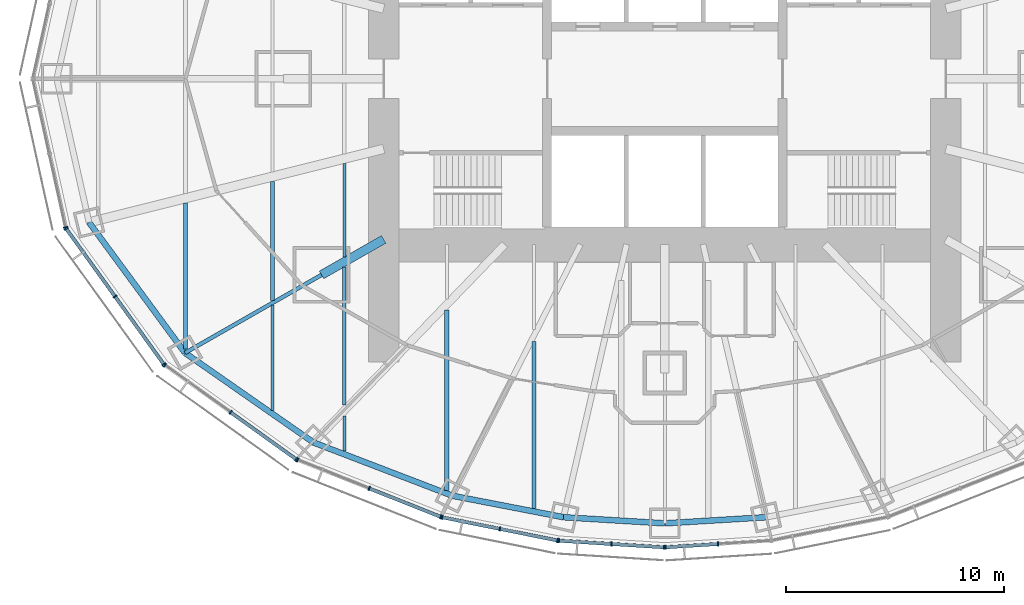
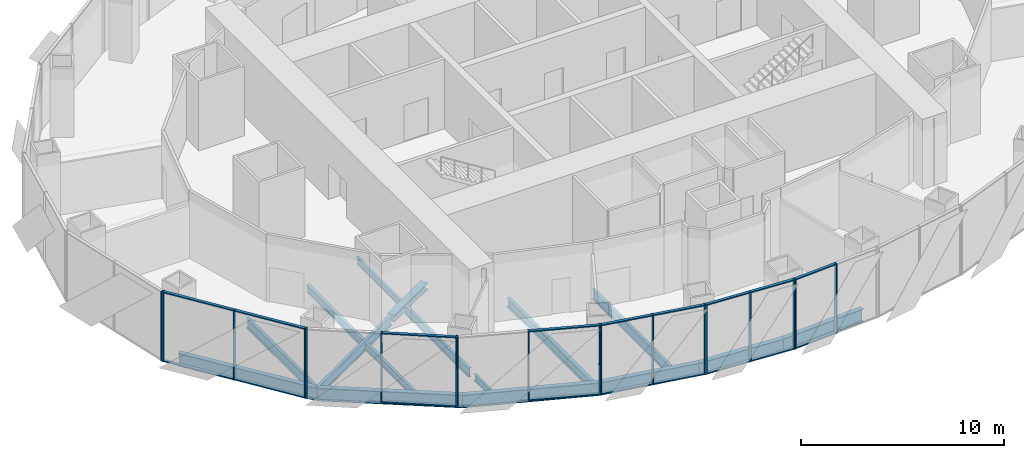
# One storey, part 2 of 18: 36 members, 16 beams, 7 elements without a shape of their own.
"""IFC4 building model written with IfcOpenShell, lengths in metres."""

from ifc_helpers import new_model, si_unit, direction, frame, origin, origin_2d, place, context, subcontext, project, spatial, rectangle, i_section, extrude, material, material_profile, profile_set, type_object, element, aggregate, save


model = new_model("IFC4")

# Units and contexts
model_context = context("Model", 3, precision=1e-05, world=origin(), true_north=direction((0.0, 1.0)))
body_context = subcontext(model_context, "Body", "Model", "MODEL_VIEW")
ifc_project = project(units=[si_unit("LENGTHUNIT", "METRE"), si_unit("AREAUNIT", "SQUARE_METRE"), si_unit("VOLUMEUNIT", "CUBIC_METRE"), si_unit("PLANEANGLEUNIT", "RADIAN"), si_unit("MASSUNIT", "GRAM", prefix="KILO")], contexts=[model_context])

# Site, building, storey
site_placement = place(None, origin())
site = spatial("IfcSite", under=ifc_project, at=site_placement, CompositionType="ELEMENT")
building_placement = place(site_placement, origin())
building = spatial("IfcBuilding", under=site, at=building_placement, Name="Lantaw Convention Tower", CompositionType="ELEMENT")
storey_placement = place(building_placement, frame((0.0, 0.0, 172.0)))
storey = spatial("IfcBuildingStorey", under=building, at=storey_placement, Name="L40", CompositionType="ELEMENT", Elevation=172.0)

# Beams
ifc_material_1 = material(Name="Steel ASTM A992", Category="steel")
ifc_material_profile_1 = material_profile(ifc_material_1, i_section(OverallWidth=0.2666015625, OverallDepth=0.76953125, WebThickness=0.015625, FlangeThickness=0.025390625, FilletRadius=0.0126953125, at=origin_2d()), Name="W30X132")
ifc_profile_set_1 = profile_set([ifc_material_profile_1], Name="Steel ASTM A992")
beam_type_1 = type_object("IfcBeamType", Name="Beam E W30X132", PredefinedType="SPANDREL", material=ifc_profile_set_1)
beam_1_placement = place(storey_placement, frame((-26.419921875, -6.587158203125, -0.534912109375), z_axis=(0.5923891972, -0.805651934176, 0.0), x_axis=(0.805651934176, 0.5923891972, 0.0)))
element("IfcBeam", 1, at=beam_1_placement, inside=storey, type_object=beam_type_1, Name="Edge beam 14", PredefinedType="SPANDREL", context=body_context, shape_type="SweptSolid", body=[
    extrude(i_section(OverallWidth=0.2666015625, OverallDepth=0.76953125, WebThickness=0.015625, FlangeThickness=0.025390625, FilletRadius=0.0126953125, at=origin_2d()), origin(), (0.0, 0.0, 1.0), 7.437744140625),
])
beam_2_placement = place(storey_placement, frame((-22.013916015625, -12.579345703125, -0.534912109375), z_axis=(0.820310765287, -0.57191804339, 0.0), x_axis=(0.57191804339, 0.820310765287, 0.0)))
element("IfcBeam", 2, at=beam_2_placement, inside=storey, type_object=beam_type_1, Name="Edge beam 15", PredefinedType="SPANDREL", context=body_context, shape_type="SweptSolid", body=[
    extrude(i_section(OverallWidth=0.2666015625, OverallDepth=0.76953125, WebThickness=0.015625, FlangeThickness=0.025390625, FilletRadius=0.0126953125, at=origin_2d()), origin(), (0.0, 0.0, 1.0), 7.187744140625),
])
beam_3_placement = place(storey_placement, frame((-16.11767578125, -16.690185546875, -0.534912109375), z_axis=(0.933691081977, -0.358079549033, 0.0), x_axis=(0.358079549033, 0.933691081977, 0.0)))
element("IfcBeam", 3, at=beam_3_placement, inside=storey, type_object=beam_type_1, Name="Edge beam 16", PredefinedType="SPANDREL", context=body_context, shape_type="SweptSolid", body=[
    extrude(i_section(OverallWidth=0.2666015625, OverallDepth=0.76953125, WebThickness=0.015625, FlangeThickness=0.025390625, FilletRadius=0.0126953125, at=origin_2d()), origin(), (0.0, 0.0, 1.0), 6.821533203125),
])
beam_4_placement = place(storey_placement, frame((-9.74853515625, -19.1328125, -0.534912109375), z_axis=(0.981796805654, -0.189934284446, 0.0), x_axis=(0.189934284446, 0.981796805654, 0.0)))
element("IfcBeam", 4, at=beam_4_placement, inside=storey, type_object=beam_type_1, Name="Edge beam 17", PredefinedType="SPANDREL", context=body_context, shape_type="SweptSolid", body=[
    extrude(i_section(OverallWidth=0.2666015625, OverallDepth=0.76953125, WebThickness=0.015625, FlangeThickness=0.025390625, FilletRadius=0.0126953125, at=origin_2d()), origin(), (0.0, 0.0, 1.0), 5.1982421875),
])
for number, where, z_axis, x_axis, name in (
    (5, (-4.64501953125, -20.1201171875, -0.534912109375), (0.998190892054, -0.06012439621, 0.0), (0.06012439621, 0.998190892054, 0.0), "Edge beam 18"),
    (6, (0.0, -20.39990234375, -0.534912109375), (0.998190892054, 0.06012439621, 0.0), (-0.06012439621, 0.998190892054, 0.0), "Edge beam 19"),
):
    element("IfcBeam", number, at=place(storey_placement, frame(where, z_axis=z_axis, x_axis=x_axis)), inside=storey, type_object=beam_type_1, Name=name, PredefinedType="SPANDREL", context=body_context, shape_type="SweptSolid", body=[
        extrude(i_section(OverallWidth=0.2666015625, OverallDepth=0.76953125, WebThickness=0.015625, FlangeThickness=0.025390625, FilletRadius=0.0126953125, at=origin_2d()), origin(), (0.0, 0.0, 1.0), 4.6533203125),
    ])
ifc_material_profile_2 = material_profile(ifc_material_1, i_section(OverallWidth=0.177978515625, OverallDepth=0.599365234375, WebThickness=0.010009765625, FlangeThickness=0.012939453125, FilletRadius=0.012939453125, at=origin_2d()), Name="W24X55")
ifc_profile_set_2 = profile_set([ifc_material_profile_2], Name="Steel ASTM A992")
beam_type_2 = type_object("IfcBeamType", Name="Beam G W24X55", PredefinedType="BEAM", material=ifc_profile_set_2)
beam_5_placement = place(storey_placement, frame((-15.75, -9.0, -0.44970703125), z_axis=(-0.868245224608, -0.496135293993, 0.0), x_axis=(0.496135293993, -0.868245224608, 0.0)))
element("IfcBeam", 7, at=beam_5_placement, inside=storey, type_object=beam_type_2, Name="Floor girder on ray 15", PredefinedType="BEAM", context=body_context, shape_type="SweptSolid", body=[
    extrude(i_section(OverallWidth=0.177978515625, OverallDepth=0.599365234375, WebThickness=0.010009765625, FlangeThickness=0.012939453125, FilletRadius=0.012939453125, at=origin_2d()), origin(), (0.0, 0.0, 1.0), 7.21435546875),
])
ifc_material_profile_3 = material_profile(ifc_material_1, i_section(OverallWidth=0.40380859375, OverallDepth=0.406494140625, WebThickness=0.027099609375, FlangeThickness=0.043701171875, FilletRadius=0.01513671875, at=origin_2d()), Name="W14X233")
ifc_profile_set_3 = profile_set([ifc_material_profile_3], Name="Steel ASTM A992")
beam_type_3 = type_object("IfcBeamType", Name="Beam GM W14X233", PredefinedType="BEAM", material=ifc_profile_set_3)
beam_6_placement = place(storey_placement, frame((-12.89990234375, -7.371337890625, -0.353271484375), z_axis=(-0.868238565244, -0.496146947811, 0.0), x_axis=(0.496146947811, -0.868238565244, 0.0)))
element("IfcBeam", 8, at=beam_6_placement, inside=storey, type_object=beam_type_3, Name="Core link beam on ray 15", PredefinedType="BEAM", context=body_context, shape_type="SweptSolid", body=[
    extrude(i_section(OverallWidth=0.40380859375, OverallDepth=0.406494140625, WebThickness=0.027099609375, FlangeThickness=0.043701171875, FilletRadius=0.01513671875, at=origin_2d()), origin(), (0.0, 0.0, 1.0), 3.28271484375),
])
ifc_material_profile_4 = material_profile(ifc_material_1, i_section(OverallWidth=0.140380859375, OverallDepth=0.40380859375, WebThickness=0.007080078125, FlangeThickness=0.01123046875, FilletRadius=0.01025390625, at=origin_2d()), Name="W16X31")
ifc_profile_set_4 = profile_set([ifc_material_profile_4], Name="Steel ASTM A992")
beam_type_4 = type_object("IfcBeamType", Name="Beam J W16X31", PredefinedType="JOIST", material=ifc_profile_set_4)
beam_7_placement = place(storey_placement, frame((-14.699951171875, -17.091064453125, -0.35205078125), z_axis=(0.0, 1.0, 0.0), x_axis=(-1.0, 0.0, 0.0)))
element("IfcBeam", 9, at=beam_7_placement, inside=storey, type_object=beam_type_4, Name="Floor joist", PredefinedType="JOIST", context=body_context, shape_type="SweptSolid", body=[
    extrude(i_section(OverallWidth=0.140380859375, OverallDepth=0.40380859375, WebThickness=0.007080078125, FlangeThickness=0.01123046875, FilletRadius=0.01025390625, at=origin_2d()), origin(), (0.0, 0.0, 1.0), 1.609130859375),
])
beam_8_placement = place(storey_placement, frame((-14.699951171875, -8.16748046875, -0.35205078125), z_axis=(0.0, 1.0, 0.0), x_axis=(-1.0, 0.0, 0.0)))
element("IfcBeam", 10, at=beam_8_placement, inside=storey, type_object=beam_type_4, Name="Floor joist", PredefinedType="JOIST", context=body_context, shape_type="SweptSolid", body=[
    extrude(i_section(OverallWidth=0.140380859375, OverallDepth=0.40380859375, WebThickness=0.007080078125, FlangeThickness=0.01123046875, FilletRadius=0.01025390625, at=origin_2d()), origin(), (0.0, 0.0, 1.0), 4.28515625),
])
ifc_material_profile_5 = material_profile(ifc_material_1, i_section(OverallWidth=0.15234375, OverallDepth=0.449462890625, WebThickness=0.007568359375, FlangeThickness=0.0107421875, FilletRadius=0.01025390625, at=origin_2d()), Name="W18X35")
ifc_profile_set_5 = profile_set([ifc_material_profile_5], Name="Steel ASTM A992")
beam_type_5 = type_object("IfcBeamType", Name="Beam J W18X35", PredefinedType="JOIST", material=ifc_profile_set_5)
beam_9_placement = place(storey_placement, frame((-18.0, -15.21533203125, -0.374755859375), z_axis=(0.0, 1.0, 0.0), x_axis=(-1.0, 0.0, 0.0)))
element("IfcBeam", 11, at=beam_9_placement, inside=storey, type_object=beam_type_5, Name="Floor joist", PredefinedType="JOIST", context=body_context, shape_type="SweptSolid", body=[
    extrude(i_section(OverallWidth=0.15234375, OverallDepth=0.449462890625, WebThickness=0.007568359375, FlangeThickness=0.0107421875, FilletRadius=0.01025390625, at=origin_2d()), origin(), (0.0, 0.0, 1.0), 4.8271484375),
])
ifc_material_profile_6 = material_profile(ifc_material_1, i_section(OverallWidth=0.1904296875, OverallDepth=0.457275390625, WebThickness=0.009033203125, FlangeThickness=0.014404296875, FilletRadius=0.01025390625, at=origin_2d()), Name="W18X50")
ifc_profile_set_6 = profile_set([ifc_material_profile_6], Name="Steel ASTM A992")
beam_type_6 = type_object("IfcBeamType", Name="Beam J W18X50", PredefinedType="JOIST", material=ifc_profile_set_6)
beam_10_placement = place(storey_placement, frame((-18.0, -10.18310546875, -0.378662109375), z_axis=(0.0, 1.0, 0.0), x_axis=(-1.0, 0.0, 0.0)))
element("IfcBeam", 12, at=beam_10_placement, inside=storey, type_object=beam_type_6, Name="Floor joist", PredefinedType="JOIST", context=body_context, shape_type="SweptSolid", body=[
    extrude(i_section(OverallWidth=0.1904296875, OverallDepth=0.457275390625, WebThickness=0.009033203125, FlangeThickness=0.014404296875, FilletRadius=0.01025390625, at=origin_2d()), origin(), (0.0, 0.0, 1.0), 5.47802734375),
])
ifc_material_profile_7 = material_profile(ifc_material_1, i_section(OverallWidth=0.1650390625, OverallDepth=0.52587890625, WebThickness=0.0087890625, FlangeThickness=0.011474609375, FilletRadius=0.0126953125, at=origin_2d()), Name="W21X44")
ifc_profile_set_7 = profile_set([ifc_material_profile_7], Name="Steel ASTM A992")
beam_type_7 = type_object("IfcBeamType", Name="Beam J W21X44", PredefinedType="JOIST", material=ifc_profile_set_7)
beam_11_placement = place(storey_placement, frame((-14.699951171875, -14.962646484375, -0.412841796875), z_axis=(0.0, 1.0, 0.0), x_axis=(-1.0, 0.0, 0.0)))
element("IfcBeam", 13, at=beam_11_placement, inside=storey, type_object=beam_type_7, Name="Floor joist", PredefinedType="JOIST", context=body_context, shape_type="SweptSolid", body=[
    extrude(i_section(OverallWidth=0.1650390625, OverallDepth=0.52587890625, WebThickness=0.0087890625, FlangeThickness=0.011474609375, FilletRadius=0.0126953125, at=origin_2d()), origin(), (0.0, 0.0, 1.0), 6.330078125),
])
ifc_material_profile_8 = material_profile(ifc_material_1, i_section(OverallWidth=0.2099609375, OverallDepth=0.535888671875, WebThickness=0.010986328125, FlangeThickness=0.017333984375, FilletRadius=0.012939453125, at=origin_2d()), Name="W21X68")
ifc_profile_set_8 = profile_set([ifc_material_profile_8], Name="Steel ASTM A992")
beam_type_8 = type_object("IfcBeamType", Name="Beam J W21X68", PredefinedType="JOIST", material=ifc_profile_set_8)
beam_12_placement = place(storey_placement, frame((-10.0, -18.8935546875, -0.41796875), z_axis=(0.0, 1.0, 0.0), x_axis=(-1.0, 0.0, 0.0)))
element("IfcBeam", 14, at=beam_12_placement, inside=storey, type_object=beam_type_8, Name="Floor joist", PredefinedType="JOIST", context=body_context, shape_type="SweptSolid", body=[
    extrude(i_section(OverallWidth=0.2099609375, OverallDepth=0.535888671875, WebThickness=0.010986328125, FlangeThickness=0.017333984375, FilletRadius=0.012939453125, at=origin_2d()), origin(), (0.0, 0.0, 1.0), 8.278564453125),
])
ifc_material_profile_9 = material_profile(ifc_material_1, i_section(OverallWidth=0.177978515625, OverallDepth=0.599365234375, WebThickness=0.010009765625, FlangeThickness=0.012939453125, FilletRadius=0.012939453125, at=origin_2d()), Name="W24X55")
ifc_profile_set_9 = profile_set([ifc_material_profile_9], Name="Steel ASTM A992")
beam_type_9 = type_object("IfcBeamType", Name="Beam J W24X55", PredefinedType="JOIST", material=ifc_profile_set_9)
beam_13_placement = place(storey_placement, frame((-22.0, -12.408935546875, -0.44970703125), z_axis=(0.0, 1.0, 0.0), x_axis=(-1.0, 0.0, 0.0)))
element("IfcBeam", 15, at=beam_13_placement, inside=storey, type_object=beam_type_9, Name="Floor joist", PredefinedType="JOIST", context=body_context, shape_type="SweptSolid", body=[
    extrude(i_section(OverallWidth=0.177978515625, OverallDepth=0.599365234375, WebThickness=0.010009765625, FlangeThickness=0.012939453125, FilletRadius=0.012939453125, at=origin_2d()), origin(), (0.0, 0.0, 1.0), 6.70654296875),
])
beam_14_placement = place(storey_placement, frame((-6.0, -19.72216796875, -0.44970703125), z_axis=(0.0, 1.0, 0.0), x_axis=(-1.0, 0.0, 0.0)))
element("IfcBeam", 16, at=beam_14_placement, inside=storey, type_object=beam_type_9, Name="Floor joist", PredefinedType="JOIST", context=body_context, shape_type="SweptSolid", body=[
    extrude(i_section(OverallWidth=0.177978515625, OverallDepth=0.599365234375, WebThickness=0.010009765625, FlangeThickness=0.012939453125, FilletRadius=0.012939453125, at=origin_2d()), origin(), (0.0, 0.0, 1.0), 7.666748046875),
])

# Curtain wall, member
ifc_material_2 = material(Name="Aluminium framed curtain wall", Category="aluminium")
curtain_wall_type = type_object("IfcCurtainWallType", Name="Office curtain wall low rise, pale aluminium", PredefinedType="USERDEFINED", material=ifc_material_2)
curtain_wall_1_placement = place(storey_placement, origin())
curtain_wall_1 = element("IfcCurtainWall", 17, at=curtain_wall_1_placement, inside=storey, type_object=curtain_wall_type, Name="Office curtain wall low rise, pale aluminium L40", ObjectType="UNITISED CURTAIN WALL", PredefinedType="USERDEFINED")
ifc_material_3 = material(Name="Aluminium 6063-T6", Category="aluminium")
ifc_material_profile_10 = material_profile(ifc_material_3, rectangle(XDim=0.199951171875, YDim=0.06494140625, at=origin_2d()), Name="CW-O1 mullion 65x200")
ifc_profile_set_10 = profile_set([ifc_material_profile_10], Name="Aluminium 6063-T6")
member_type_1 = type_object("IfcMemberType", Name="CW-O1 mullion 65x200", PredefinedType="MULLION", material=ifc_profile_set_10)
member_1_placement = place(storey_placement, frame((-27.494140625, -6.821533203125, -0.14990234375), z_axis=(0.0, 0.0, 1.0), x_axis=(0.9764936509, 0.215546166174, 0.0)))
member_1 = element("IfcMember", 18, at=member_1_placement, type_object=member_type_1, Name="CW-O1 mullion 3", PredefinedType="MULLION", context=body_context, shape_type="SweptSolid", body=[
    extrude(rectangle(XDim=0.199951171875, YDim=0.06494140625, at=origin_2d()), origin(), (0.0, 0.0, 1.0), 4.199951171875),
])
aggregate(curtain_wall_1, [member_1])

# Curtain wall, members
curtain_wall_2_placement = place(storey_placement, origin())
curtain_wall_2 = element("IfcCurtainWall", 19, at=curtain_wall_2_placement, inside=storey, type_object=curtain_wall_type, Name="Office curtain wall low rise, pale aluminium L40", ObjectType="UNITISED CURTAIN WALL", PredefinedType="USERDEFINED")
member_2_placement = place(storey_placement, frame((-27.46826171875, -6.879638671875, -0.14990234375), z_axis=(0.0, 0.0, 1.0), x_axis=(0.811384633629, 0.584512597221, 0.0)))
member_2 = element("IfcMember", 20, at=member_2_placement, type_object=member_type_1, Name="CW-O1 mullion 1", PredefinedType="MULLION", context=body_context, shape_type="SweptSolid", body=[
    extrude(rectangle(XDim=0.199951171875, YDim=0.06494140625, at=origin_2d()), origin(), (0.0, 0.0, 1.0), 4.199951171875),
])
member_3_placement = place(storey_placement, frame((-25.22802734375, -9.9892578125, -0.14990234375), z_axis=(0.0, 0.0, 1.0), x_axis=(0.811384633629, 0.584512597221, 0.0)))
member_3 = element("IfcMember", 21, at=member_3_placement, type_object=member_type_1, Name="CW-O1 mullion 2", PredefinedType="MULLION", context=body_context, shape_type="SweptSolid", body=[
    extrude(rectangle(XDim=0.199951171875, YDim=0.06494140625, at=origin_2d()), origin(), (0.0, 0.0, 1.0), 4.199951171875),
])
member_4_placement = place(storey_placement, frame((-22.988037109375, -13.098876953125, -0.14990234375), z_axis=(0.0, 0.0, 1.0), x_axis=(0.811384633629, 0.584512597221, 0.0)))
member_4 = element("IfcMember", 22, at=member_4_placement, type_object=member_type_1, Name="CW-O1 mullion 3", PredefinedType="MULLION", context=body_context, shape_type="SweptSolid", body=[
    extrude(rectangle(XDim=0.199951171875, YDim=0.06494140625, at=origin_2d()), origin(), (0.0, 0.0, 1.0), 4.199951171875),
])

curtain_wall_3_placement = place(storey_placement, origin())
curtain_wall_3 = element("IfcCurtainWall", 23, at=curtain_wall_3_placement, inside=storey, type_object=curtain_wall_type, Name="Office curtain wall low rise, pale aluminium L40", ObjectType="UNITISED CURTAIN WALL", PredefinedType="USERDEFINED")
member_5_placement = place(storey_placement, frame((-22.942626953125, -13.14404296875, -0.14990234375), z_axis=(0.0, 0.0, 1.0), x_axis=(0.581972695693, 0.813208325995, 0.0)))
member_5 = element("IfcMember", 24, at=member_5_placement, type_object=member_type_1, Name="CW-O1 mullion 1", PredefinedType="MULLION", context=body_context, shape_type="SweptSolid", body=[
    extrude(rectangle(XDim=0.199951171875, YDim=0.06494140625, at=origin_2d()), origin(), (0.0, 0.0, 1.0), 4.199951171875),
])
member_6_placement = place(storey_placement, frame((-19.92529296875, -15.303466796875, -0.14990234375), z_axis=(0.0, 0.0, 1.0), x_axis=(0.581972695693, 0.813208325995, 0.0)))
member_6 = element("IfcMember", 25, at=member_6_placement, type_object=member_type_1, Name="CW-O1 mullion 2", PredefinedType="MULLION", context=body_context, shape_type="SweptSolid", body=[
    extrude(rectangle(XDim=0.199951171875, YDim=0.06494140625, at=origin_2d()), origin(), (0.0, 0.0, 1.0), 4.199951171875),
])
member_7_placement = place(storey_placement, frame((-16.908203125, -17.462646484375, -0.14990234375), z_axis=(0.0, 0.0, 1.0), x_axis=(0.581972695693, 0.813208325995, 0.0)))
member_7 = element("IfcMember", 26, at=member_7_placement, type_object=member_type_1, Name="CW-O1 mullion 3", PredefinedType="MULLION", context=body_context, shape_type="SweptSolid", body=[
    extrude(rectangle(XDim=0.199951171875, YDim=0.06494140625, at=origin_2d()), origin(), (0.0, 0.0, 1.0), 4.199951171875),
])

curtain_wall_4_placement = place(storey_placement, origin())
curtain_wall_4 = element("IfcCurtainWall", 27, at=curtain_wall_4_placement, inside=storey, type_object=curtain_wall_type, Name="Office curtain wall low rise, pale aluminium L40", ObjectType="UNITISED CURTAIN WALL", PredefinedType="USERDEFINED")
member_8_placement = place(storey_placement, frame((-16.8515625, -17.49365234375, -0.14990234375), z_axis=(0.0, 0.0, 1.0), x_axis=(0.368701907483, 0.929547687544, 0.0)))
member_8 = element("IfcMember", 28, at=member_8_placement, type_object=member_type_1, Name="CW-O1 mullion 1", PredefinedType="MULLION", context=body_context, shape_type="SweptSolid", body=[
    extrude(rectangle(XDim=0.199951171875, YDim=0.06494140625, at=origin_2d()), origin(), (0.0, 0.0, 1.0), 4.199951171875),
])
member_9_placement = place(storey_placement, frame((-13.56494140625, -18.797119140625, -0.14990234375), z_axis=(0.0, 0.0, 1.0), x_axis=(0.368701907483, 0.929547687544, 0.0)))
member_9 = element("IfcMember", 29, at=member_9_placement, type_object=member_type_1, Name="CW-O1 mullion 2", PredefinedType="MULLION", context=body_context, shape_type="SweptSolid", body=[
    extrude(rectangle(XDim=0.199951171875, YDim=0.06494140625, at=origin_2d()), origin(), (0.0, 0.0, 1.0), 4.199951171875),
])
member_10_placement = place(storey_placement, frame((-10.2783203125, -20.100830078125, -0.14990234375), z_axis=(0.0, 0.0, 1.0), x_axis=(0.368701907483, 0.929547687544, 0.0)))
member_10 = element("IfcMember", 30, at=member_10_placement, type_object=member_type_1, Name="CW-O1 mullion 3", PredefinedType="MULLION", context=body_context, shape_type="SweptSolid", body=[
    extrude(rectangle(XDim=0.199951171875, YDim=0.06494140625, at=origin_2d()), origin(), (0.0, 0.0, 1.0), 4.199951171875),
])

curtain_wall_5_placement = place(storey_placement, origin())
curtain_wall_5 = element("IfcCurtainWall", 31, at=curtain_wall_5_placement, inside=storey, type_object=curtain_wall_type, Name="Office curtain wall low rise, pale aluminium L40", ObjectType="UNITISED CURTAIN WALL", PredefinedType="USERDEFINED")
member_11_placement = place(storey_placement, frame((-10.216064453125, -20.119140625, -0.14990234375), z_axis=(0.0, 0.0, 1.0), x_axis=(0.197506809659, 0.980301514912, 0.0)))
member_11 = element("IfcMember", 32, at=member_11_placement, type_object=member_type_1, Name="CW-O1 mullion 1", PredefinedType="MULLION", context=body_context, shape_type="SweptSolid", body=[
    extrude(rectangle(XDim=0.199951171875, YDim=0.06494140625, at=origin_2d()), origin(), (0.0, 0.0, 1.0), 4.199951171875),
])
member_12_placement = place(storey_placement, frame((-7.5703125, -20.65234375, -0.14990234375), z_axis=(0.0, 0.0, 1.0), x_axis=(0.197506809659, 0.980301514912, 0.0)))
member_12 = element("IfcMember", 33, at=member_12_placement, type_object=member_type_1, Name="CW-O1 mullion 2", PredefinedType="MULLION", context=body_context, shape_type="SweptSolid", body=[
    extrude(rectangle(XDim=0.199951171875, YDim=0.06494140625, at=origin_2d()), origin(), (0.0, 0.0, 1.0), 4.199951171875),
])
member_13_placement = place(storey_placement, frame((-4.92431640625, -21.185302734375, -0.14990234375), z_axis=(0.0, 0.0, 1.0), x_axis=(0.197506809659, 0.980301514912, 0.0)))
member_13 = element("IfcMember", 34, at=member_13_placement, type_object=member_type_1, Name="CW-O1 mullion 3", PredefinedType="MULLION", context=body_context, shape_type="SweptSolid", body=[
    extrude(rectangle(XDim=0.199951171875, YDim=0.06494140625, at=origin_2d()), origin(), (0.0, 0.0, 1.0), 4.199951171875),
])

curtain_wall_6_placement = place(storey_placement, origin())
curtain_wall_6 = element("IfcCurtainWall", 35, at=curtain_wall_6_placement, inside=storey, type_object=curtain_wall_type, Name="Office curtain wall low rise, pale aluminium L40", ObjectType="UNITISED CURTAIN WALL", PredefinedType="USERDEFINED")
member_14_placement = place(storey_placement, frame((-4.860107421875, -21.19384765625, -0.14990234375), z_axis=(0.0, 0.0, 1.0), x_axis=(0.062865059466, 0.998022035978, 0.0)))
member_14 = element("IfcMember", 36, at=member_14_placement, type_object=member_type_1, Name="CW-O1 mullion 1", PredefinedType="MULLION", context=body_context, shape_type="SweptSolid", body=[
    extrude(rectangle(XDim=0.199951171875, YDim=0.06494140625, at=origin_2d()), origin(), (0.0, 0.0, 1.0), 4.199951171875),
])
member_15_placement = place(storey_placement, frame((-2.4462890625, -21.345947265625, -0.14990234375), z_axis=(0.0, 0.0, 1.0), x_axis=(0.062865059466, 0.998022035978, 0.0)))
member_15 = element("IfcMember", 37, at=member_15_placement, type_object=member_type_1, Name="CW-O1 mullion 2", PredefinedType="MULLION", context=body_context, shape_type="SweptSolid", body=[
    extrude(rectangle(XDim=0.199951171875, YDim=0.06494140625, at=origin_2d()), origin(), (0.0, 0.0, 1.0), 4.199951171875),
])
member_16_placement = place(storey_placement, frame((-0.032470703125, -21.498046875, -0.14990234375), z_axis=(0.0, 0.0, 1.0), x_axis=(0.062865059466, 0.998022035978, 0.0)))
member_16 = element("IfcMember", 38, at=member_16_placement, type_object=member_type_1, Name="CW-O1 mullion 3", PredefinedType="MULLION", context=body_context, shape_type="SweptSolid", body=[
    extrude(rectangle(XDim=0.199951171875, YDim=0.06494140625, at=origin_2d()), origin(), (0.0, 0.0, 1.0), 4.199951171875),
])

curtain_wall_7_placement = place(storey_placement, origin())
curtain_wall_7 = element("IfcCurtainWall", 39, at=curtain_wall_7_placement, inside=storey, type_object=curtain_wall_type, Name="Office curtain wall low rise, pale aluminium L40", ObjectType="UNITISED CURTAIN WALL", PredefinedType="USERDEFINED")
member_17_placement = place(storey_placement, frame((0.032470703125, -21.498046875, -0.14990234375), z_axis=(0.0, 0.0, 1.0), x_axis=(-0.062865059466, 0.998022035978, 0.0)))
member_17 = element("IfcMember", 40, at=member_17_placement, type_object=member_type_1, Name="CW-O1 mullion 1", PredefinedType="MULLION", context=body_context, shape_type="SweptSolid", body=[
    extrude(rectangle(XDim=0.199951171875, YDim=0.06494140625, at=origin_2d()), origin(), (0.0, 0.0, 1.0), 4.199951171875),
])
member_18_placement = place(storey_placement, frame((2.4462890625, -21.345947265625, -0.14990234375), z_axis=(0.0, 0.0, 1.0), x_axis=(-0.062865059466, 0.998022035978, 0.0)))
member_18 = element("IfcMember", 41, at=member_18_placement, type_object=member_type_1, Name="CW-O1 mullion 2", PredefinedType="MULLION", context=body_context, shape_type="SweptSolid", body=[
    extrude(rectangle(XDim=0.199951171875, YDim=0.06494140625, at=origin_2d()), origin(), (0.0, 0.0, 1.0), 4.199951171875),
])

# Member
ifc_material_profile_11 = material_profile(ifc_material_3, rectangle(XDim=0.159912109375, YDim=0.06494140625, at=origin_2d()), Name="CW-O1 transom 65x160")
ifc_profile_set_11 = profile_set([ifc_material_profile_11], Name="Aluminium 6063-T6")
member_type_2 = type_object("IfcMemberType", Name="CW-O1 transom 65x160", PredefinedType="USERDEFINED", material=ifc_profile_set_11)
member_19_placement = place(storey_placement, frame((-27.44921875, -6.906005859375, -0.117431640625), z_axis=(0.584512973979, -0.811384362217, 0.0), x_axis=(0.811384362217, 0.584512973979, 0.0)))
member_19 = element("IfcMember", 42, at=member_19_placement, type_object=member_type_2, Name="CW-O1 transom 1.1", ObjectType="TRANSOM", PredefinedType="USERDEFINED", context=body_context, shape_type="SweptSolid", body=[
    extrude(rectangle(XDim=0.159912109375, YDim=0.06494140625, at=origin_2d()), origin(), (0.0, 0.0, 1.0), 3.767578125),
])

member_20_placement = place(storey_placement, frame((-27.44921875, -6.906005859375, 4.017578125), z_axis=(0.584512973979, -0.811384362217, 0.0), x_axis=(0.811384362217, 0.584512973979, 0.0)))
member_20 = element("IfcMember", 43, at=member_20_placement, type_object=member_type_2, Name="CW-O1 transom 1.2", ObjectType="TRANSOM", PredefinedType="USERDEFINED", context=body_context, shape_type="SweptSolid", body=[
    extrude(rectangle(XDim=0.159912109375, YDim=0.06494140625, at=origin_2d()), origin(), (0.0, 0.0, 1.0), 3.767578125),
])

member_21_placement = place(storey_placement, frame((-25.209228515625, -10.015625, -0.117431640625), z_axis=(0.584512973979, -0.811384362217, 0.0), x_axis=(0.811384362217, 0.584512973979, 0.0)))
member_21 = element("IfcMember", 44, at=member_21_placement, type_object=member_type_2, Name="CW-O1 transom 2.1", ObjectType="TRANSOM", PredefinedType="USERDEFINED", context=body_context, shape_type="SweptSolid", body=[
    extrude(rectangle(XDim=0.159912109375, YDim=0.06494140625, at=origin_2d()), origin(), (0.0, 0.0, 1.0), 3.767578125),
])

member_22_placement = place(storey_placement, frame((-25.209228515625, -10.015625, 4.017578125), z_axis=(0.584512973979, -0.811384362217, 0.0), x_axis=(0.811384362217, 0.584512973979, 0.0)))
member_22 = element("IfcMember", 45, at=member_22_placement, type_object=member_type_2, Name="CW-O1 transom 2.2", ObjectType="TRANSOM", PredefinedType="USERDEFINED", context=body_context, shape_type="SweptSolid", body=[
    extrude(rectangle(XDim=0.159912109375, YDim=0.06494140625, at=origin_2d()), origin(), (0.0, 0.0, 1.0), 3.767578125),
])

aggregate(curtain_wall_2, [member_2, member_3, member_4, member_19, member_20, member_21, member_22])

member_23_placement = place(storey_placement, frame((-19.89892578125, -15.322265625, -0.117431640625), z_axis=(0.813190089133, -0.581998177777, 0.0), x_axis=(0.581998177777, 0.813190089133, 0.0)))
member_23 = element("IfcMember", 46, at=member_23_placement, type_object=member_type_2, Name="CW-O1 transom 2.1", ObjectType="TRANSOM", PredefinedType="USERDEFINED", context=body_context, shape_type="SweptSolid", body=[
    extrude(rectangle(XDim=0.159912109375, YDim=0.06494140625, at=origin_2d()), origin(), (0.0, 0.0, 1.0), 3.645263671875),
])

member_24_placement = place(storey_placement, frame((-19.89892578125, -15.322265625, 4.017578125), z_axis=(0.813190089133, -0.581998177777, 0.0), x_axis=(0.581998177777, 0.813190089133, 0.0)))
member_24 = element("IfcMember", 47, at=member_24_placement, type_object=member_type_2, Name="CW-O1 transom 2.2", ObjectType="TRANSOM", PredefinedType="USERDEFINED", context=body_context, shape_type="SweptSolid", body=[
    extrude(rectangle(XDim=0.159912109375, YDim=0.06494140625, at=origin_2d()), origin(), (0.0, 0.0, 1.0), 3.645263671875),
])

aggregate(curtain_wall_3, [member_5, member_6, member_7, member_23, member_24])

member_25_placement = place(storey_placement, frame((-13.53466796875, -18.80908203125, -0.117431640625), z_axis=(0.929540081544, -0.368721082668, 0.0), x_axis=(0.368721082668, 0.929540081544, 0.0)))
member_25 = element("IfcMember", 48, at=member_25_placement, type_object=member_type_2, Name="CW-O1 transom 2.1", ObjectType="TRANSOM", PredefinedType="USERDEFINED", context=body_context, shape_type="SweptSolid", body=[
    extrude(rectangle(XDim=0.159912109375, YDim=0.06494140625, at=origin_2d()), origin(), (0.0, 0.0, 1.0), 3.470947265625),
])

member_26_placement = place(storey_placement, frame((-13.53466796875, -18.80908203125, 4.017578125), z_axis=(0.929540081544, -0.368721082668, 0.0), x_axis=(0.368721082668, 0.929540081544, 0.0)))
member_26 = element("IfcMember", 49, at=member_26_placement, type_object=member_type_2, Name="CW-O1 transom 2.2", ObjectType="TRANSOM", PredefinedType="USERDEFINED", context=body_context, shape_type="SweptSolid", body=[
    extrude(rectangle(XDim=0.159912109375, YDim=0.06494140625, at=origin_2d()), origin(), (0.0, 0.0, 1.0), 3.470947265625),
])

aggregate(curtain_wall_4, [member_8, member_9, member_10, member_25, member_26])

member_27_placement = place(storey_placement, frame((-10.184326171875, -20.125732421875, -0.117431640625), z_axis=(0.980301643003, -0.197506173891, 0.0), x_axis=(0.197506173891, 0.980301643003, 0.0)))
member_27 = element("IfcMember", 50, at=member_27_placement, type_object=member_type_2, Name="CW-O1 transom 1.1", ObjectType="TRANSOM", PredefinedType="USERDEFINED", context=body_context, shape_type="SweptSolid", body=[
    extrude(rectangle(XDim=0.159912109375, YDim=0.06494140625, at=origin_2d()), origin(), (0.0, 0.0, 1.0), 2.63427734375),
])

member_28_placement = place(storey_placement, frame((-10.184326171875, -20.125732421875, 4.017578125), z_axis=(0.980301643003, -0.197506173891, 0.0), x_axis=(0.197506173891, 0.980301643003, 0.0)))
member_28 = element("IfcMember", 51, at=member_28_placement, type_object=member_type_2, Name="CW-O1 transom 1.2", ObjectType="TRANSOM", PredefinedType="USERDEFINED", context=body_context, shape_type="SweptSolid", body=[
    extrude(rectangle(XDim=0.159912109375, YDim=0.06494140625, at=origin_2d()), origin(), (0.0, 0.0, 1.0), 2.63427734375),
])

member_29_placement = place(storey_placement, frame((-7.538330078125, -20.65869140625, -0.117431640625), z_axis=(0.980298027092, -0.197524120247, 0.0), x_axis=(0.197524120247, 0.980298027092, 0.0)))
member_29 = element("IfcMember", 52, at=member_29_placement, type_object=member_type_2, Name="CW-O1 transom 2.1", ObjectType="TRANSOM", PredefinedType="USERDEFINED", context=body_context, shape_type="SweptSolid", body=[
    extrude(rectangle(XDim=0.159912109375, YDim=0.06494140625, at=origin_2d()), origin(), (0.0, 0.0, 1.0), 2.634033203125),
])

member_30_placement = place(storey_placement, frame((-7.538330078125, -20.65869140625, 4.017578125), z_axis=(0.980298027092, -0.197524120247, 0.0), x_axis=(0.197524120247, 0.980298027092, 0.0)))
member_30 = element("IfcMember", 53, at=member_30_placement, type_object=member_type_2, Name="CW-O1 transom 2.2", ObjectType="TRANSOM", PredefinedType="USERDEFINED", context=body_context, shape_type="SweptSolid", body=[
    extrude(rectangle(XDim=0.159912109375, YDim=0.06494140625, at=origin_2d()), origin(), (0.0, 0.0, 1.0), 2.634033203125),
])

aggregate(curtain_wall_5, [member_11, member_12, member_13, member_27, member_28, member_29, member_30])

member_31_placement = place(storey_placement, frame((-4.82763671875, -21.19580078125, -0.117431640625), z_axis=(0.998022188463, -0.062862638625, 0.0), x_axis=(0.062862638625, 0.998022188463, 0.0)))
member_31 = element("IfcMember", 54, at=member_31_placement, type_object=member_type_2, Name="CW-O1 transom 1.1", ObjectType="TRANSOM", PredefinedType="USERDEFINED", context=body_context, shape_type="SweptSolid", body=[
    extrude(rectangle(XDim=0.159912109375, YDim=0.06494140625, at=origin_2d()), origin(), (0.0, 0.0, 1.0), 2.353515625),
])

member_32_placement = place(storey_placement, frame((-4.82763671875, -21.19580078125, 4.017578125), z_axis=(0.998022188463, -0.062862638625, 0.0), x_axis=(0.062862638625, 0.998022188463, 0.0)))
member_32 = element("IfcMember", 55, at=member_32_placement, type_object=member_type_2, Name="CW-O1 transom 1.2", ObjectType="TRANSOM", PredefinedType="USERDEFINED", context=body_context, shape_type="SweptSolid", body=[
    extrude(rectangle(XDim=0.159912109375, YDim=0.06494140625, at=origin_2d()), origin(), (0.0, 0.0, 1.0), 2.353515625),
])

member_33_placement = place(storey_placement, frame((-2.413818359375, -21.347900390625, -0.117431640625), z_axis=(0.998022188463, -0.062862638625, 0.0), x_axis=(0.062862638625, 0.998022188463, 0.0)))
member_33 = element("IfcMember", 56, at=member_33_placement, type_object=member_type_2, Name="CW-O1 transom 2.1", ObjectType="TRANSOM", PredefinedType="USERDEFINED", context=body_context, shape_type="SweptSolid", body=[
    extrude(rectangle(XDim=0.159912109375, YDim=0.06494140625, at=origin_2d()), origin(), (0.0, 0.0, 1.0), 2.353515625),
])

member_34_placement = place(storey_placement, frame((-2.413818359375, -21.347900390625, 4.017578125), z_axis=(0.998022188463, -0.062862638625, 0.0), x_axis=(0.062862638625, 0.998022188463, 0.0)))
member_34 = element("IfcMember", 57, at=member_34_placement, type_object=member_type_2, Name="CW-O1 transom 2.2", ObjectType="TRANSOM", PredefinedType="USERDEFINED", context=body_context, shape_type="SweptSolid", body=[
    extrude(rectangle(XDim=0.159912109375, YDim=0.06494140625, at=origin_2d()), origin(), (0.0, 0.0, 1.0), 2.353515625),
])

aggregate(curtain_wall_6, [member_14, member_15, member_16, member_31, member_32, member_33, member_34])

member_35_placement = place(storey_placement, frame((0.06494140625, -21.495849609375, -0.117431640625), z_axis=(0.998022188463, 0.062862638625, 0.0), x_axis=(-0.062862638625, 0.998022188463, 0.0)))
member_35 = element("IfcMember", 58, at=member_35_placement, type_object=member_type_2, Name="CW-O1 transom 1.1", ObjectType="TRANSOM", PredefinedType="USERDEFINED", context=body_context, shape_type="SweptSolid", body=[
    extrude(rectangle(XDim=0.159912109375, YDim=0.06494140625, at=origin_2d()), origin(), (0.0, 0.0, 1.0), 2.353515625),
])

member_36_placement = place(storey_placement, frame((0.06494140625, -21.495849609375, 4.017578125), z_axis=(0.998022188463, 0.062862638625, 0.0), x_axis=(-0.062862638625, 0.998022188463, 0.0)))
member_36 = element("IfcMember", 59, at=member_36_placement, type_object=member_type_2, Name="CW-O1 transom 1.2", ObjectType="TRANSOM", PredefinedType="USERDEFINED", context=body_context, shape_type="SweptSolid", body=[
    extrude(rectangle(XDim=0.159912109375, YDim=0.06494140625, at=origin_2d()), origin(), (0.0, 0.0, 1.0), 2.353515625),
])

aggregate(curtain_wall_7, [member_17, member_18, member_35, member_36])

save(model, "model.ifc")
